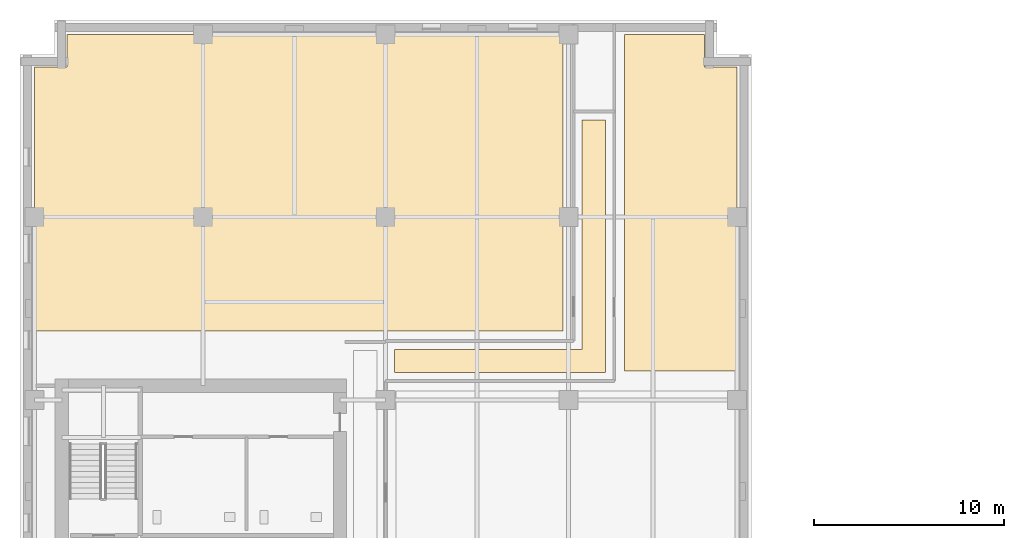
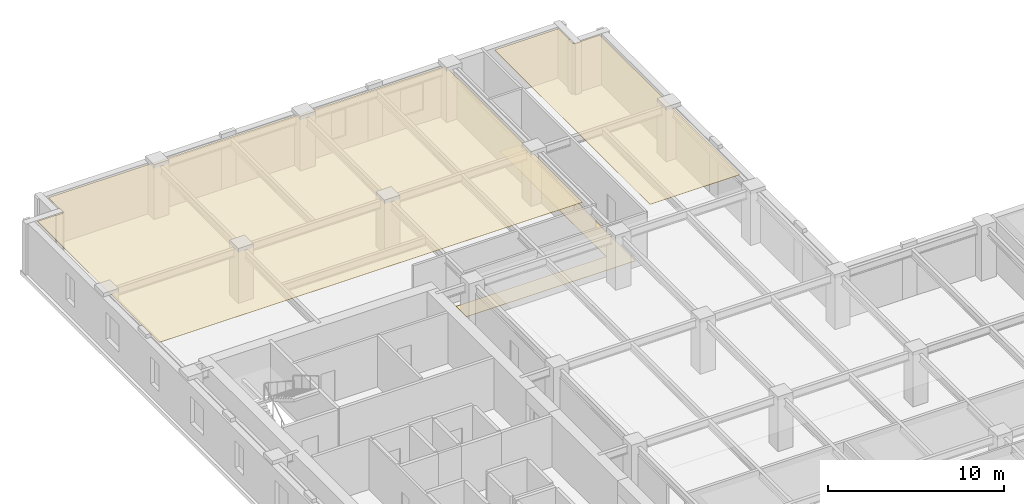
# One storey, part 11 of 12: 3 coverings.
"""IFC4 building model written with IfcOpenShell, lengths in metres."""

from ifc_helpers import new_model, si_unit, direction, frame, origin, place, context, subcontext, project, spatial, polyline, outline, extrude, material, layer, layer_set, type_object, element, save


model = new_model("IFC4")

# Units and contexts
model_context = context("Model", 3, precision=1e-05, world=origin(), true_north=direction((0.0, 1.0)))
body_context = subcontext(model_context, "Body", "Model", "MODEL_VIEW")
ifc_project = project(units=[si_unit("LENGTHUNIT", "METRE"), si_unit("AREAUNIT", "SQUARE_METRE"), si_unit("VOLUMEUNIT", "CUBIC_METRE"), si_unit("PLANEANGLEUNIT", "RADIAN"), si_unit("MASSUNIT", "GRAM", prefix="KILO")], contexts=[model_context])

# Site, building, storey
site_placement = place(None, origin())
site = spatial("IfcSite", under=ifc_project, at=site_placement, CompositionType="ELEMENT")
building_placement = place(site_placement, origin())
building = spatial("IfcBuilding", under=site, at=building_placement, Name="Norrvale University Quadrangle", CompositionType="ELEMENT")
storey_placement = place(building_placement, frame((0.0, 0.0, 139.39990234375)))
storey = spatial("IfcBuildingStorey", under=building, at=storey_placement, Name="L35", CompositionType="ELEMENT", Elevation=139.39990234375)

# Coverings
ifc_material_1 = material(Name="Perforated Acoustic Mineral Ceiling")
ifc_layer_1 = layer(ifc_material_1, 0.02490234375, Name="Perforated Acoustic Mineral Ceiling")
ifc_layer_set_1 = layer_set([ifc_layer_1], Name="Perforated Acoustic Mineral Ceiling")
covering_type_1 = type_object("IfcCoveringType", Name="Covering Acoustic Ceiling 25", PredefinedType="CEILING", material=ifc_layer_set_1)
covering_1_placement = place(storey_placement, frame((0.0, 0.0, 3.51513671875)))
element("IfcCovering", 1, at=covering_1_placement, inside=storey, type_object=covering_type_1, Name="Acoustic Ceiling RM-L35-NE01", PredefinedType="CEILING", context=body_context, shape_type="SweptSolid", body=[
    extrude(outline(polyline([(37.64990234375, 48.780029296875), (31.72998046875, 48.780029296875), (31.72998046875, 66.449951171875), (35.929931640625, 66.449951171875), (35.929931640625, 64.72998046875), (37.64990234375, 64.72998046875), (37.64990234375, 48.780029296875)])), origin(), (0.0, 0.0, 1.0), 0.02490234375),
])
covering_2_placement = place(storey_placement, frame((0.0, 0.0, 3.51513671875)))
element("IfcCovering", 2, at=covering_2_placement, inside=storey, type_object=covering_type_1, Name="Acoustic Ceiling RM-L35-NW01", PredefinedType="CEILING", context=body_context, shape_type="SweptSolid", body=[
    extrude(outline(polyline([(28.52001953125, 66.449951171875), (28.52001953125, 50.8798828125), (0.75, 50.8798828125), (0.75, 64.72998046875), (2.469970703125, 64.72998046875), (2.469970703125, 66.449951171875), (28.52001953125, 66.449951171875)])), origin(), (0.0, 0.0, 1.0), 0.02490234375),
])
ifc_material_2 = material(Name="Polished Terrazzo Flooring")
ifc_layer_2 = layer(ifc_material_2, 0.02490234375, Name="Polished Terrazzo Flooring")
ifc_layer_set_2 = layer_set([ifc_layer_2], Name="Polished Terrazzo Flooring")
covering_type_2 = type_object("IfcCoveringType", Name="Covering Terrazzo Floor 30", PredefinedType="FLOORING", material=ifc_layer_set_2)
covering_3_placement = place(storey_placement, origin())
element("IfcCovering", 3, at=covering_3_placement, inside=storey, type_object=covering_type_2, Name="Terrazzo Flooring RM-L35-NCJOG", PredefinedType="FLOORING", context=body_context, shape_type="SweptSolid", body=[
    extrude(outline(polyline([(19.64990234375, 48.699951171875), (19.64990234375, 49.89990234375), (29.5, 49.89990234375), (29.5, 61.949951171875), (30.75, 61.949951171875), (30.75, 48.699951171875), (19.64990234375, 48.699951171875)])), origin(), (0.0, 0.0, 1.0), 0.025146484375),
])

save(model, "model.ifc")
